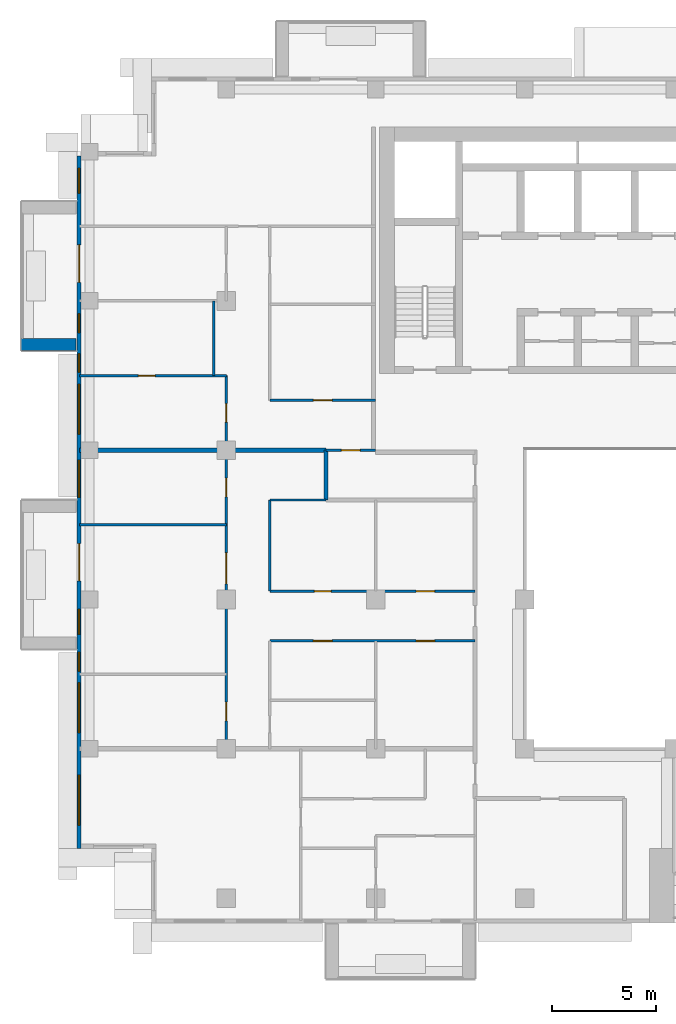
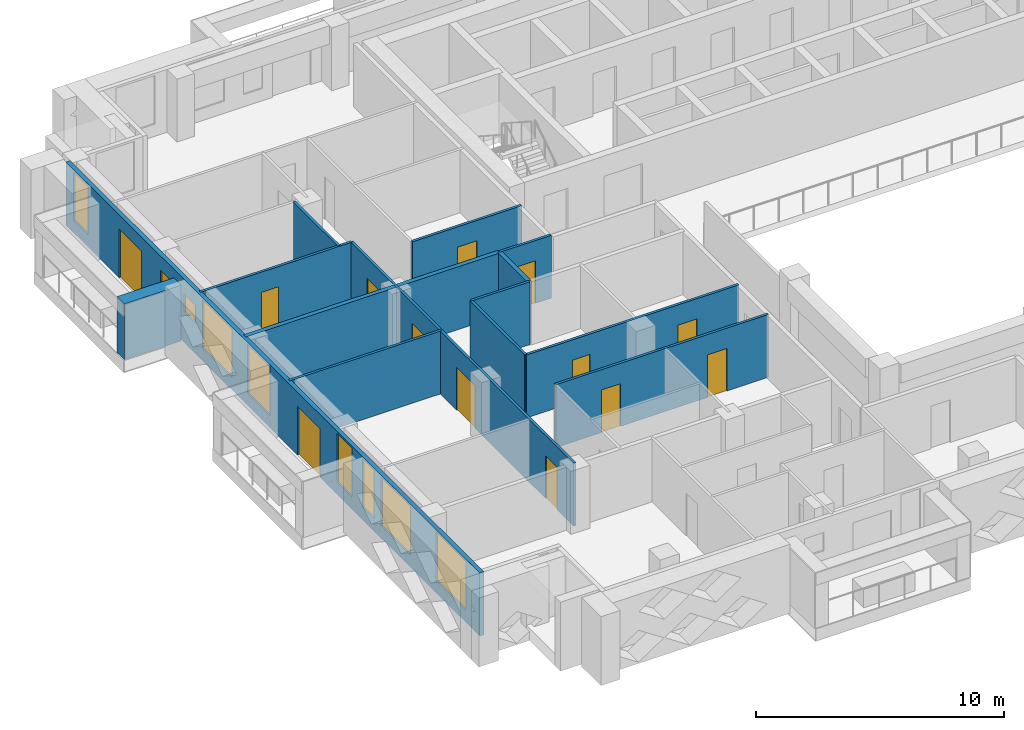
# One storey, part 7 of 20: 14 walls, 13 doors, 9 windows, 22 openings.
"""IFC4 building model written with IfcOpenShell, lengths in metres."""

import ifcopenshell
import ifcopenshell.guid

model = None  # the IFC model being written
_history = None  # IfcOwnerHistory: only IFC2X3 demands one
_inside = {}  # id of a spatial element -> (the spatial element, [elements in it])
_under = {}  # id of a project, library or spatial element -> (it, [spatial elements below it])
_declared = {}  # id of a project -> (the project, [libraries it declares])
_typed = {}  # id of a type object -> (the type object, [elements of that type])
_made_of = {}  # id of a material, layer set ... -> (it, [elements and type objects made of it])


def new_model(schema):
    """Start an empty IFC model of exactly this schema.

    Asked for "IFC4X3", IfcOpenShell would pick the latest addendum, in which some entities
    have other attributes; the version numbers below select the first issue.
    IFC2X3 requires an IfcOwnerHistory on every rooted entity: one is made here for all.
    """
    global model, _history
    if schema == "IFC4X3":
        model = ifcopenshell.file(schema_version=(4, 3, 0, 0))
    else:
        model = ifcopenshell.file(schema=schema)
    _inside.clear()
    _under.clear()
    _declared.clear()
    _typed.clear()
    _made_of.clear()
    _history = None
    if model.schema == "IFC2X3":
        org = make("IfcOrganization", Name="unknown")
        user = make(
            "IfcPersonAndOrganization",
            ThePerson=make("IfcPerson", FamilyName="unknown"),
            TheOrganization=org,
        )
        app = make(
            "IfcApplication",
            ApplicationDeveloper=org,
            Version="unknown",
            ApplicationFullName="unknown",
            ApplicationIdentifier="unknown",
        )
        _history = make(
            "IfcOwnerHistory",
            OwningUser=user,
            OwningApplication=app,
            ChangeAction="ADDED",
            CreationDate=0,
        )
    return model


def make(cls, **values):
    """One entity of the class cls with the attributes given. An attribute that is None is left unset."""
    return model.create_entity(
        cls, **{name: value for name, value in values.items() if value is not None}
    )


def rooted(cls, **values):
    """An entity with a GlobalId (a new one), such as an element, a storey or a relation."""
    return make(cls, GlobalId=ifcopenshell.guid.new(), OwnerHistory=_history, **values)


def si_unit(unit_type, name, prefix=None):
    """IfcSIUnit, for example si_unit("LENGTHUNIT", "METRE", prefix="MILLI")."""
    return make("IfcSIUnit", UnitType=unit_type, Prefix=prefix, Name=name)


def assignment(units):
    """IfcUnitAssignment: the units of a project."""
    return None if units is None else make("IfcUnitAssignment", Units=units)


def point(xyz):
    """IfcCartesianPoint."""
    return None if xyz is None else make("IfcCartesianPoint", Coordinates=xyz)


def direction(xyz):
    """IfcDirection."""
    return None if xyz is None else make("IfcDirection", DirectionRatios=xyz)


def frame(location, z_axis=None, x_axis=None):
    """IfcAxis2Placement3D, a coordinate frame: its origin and axes. An axis left out is left unset."""
    return make(
        "IfcAxis2Placement3D",
        Location=point(location),
        Axis=direction(z_axis),
        RefDirection=direction(x_axis),
    )


def frame_2d(location, x_axis=None):
    """IfcAxis2Placement2D, a coordinate frame in the plane: its origin and x axis."""
    return make(
        "IfcAxis2Placement2D", Location=point(location), RefDirection=direction(x_axis)
    )


def origin():
    """The frame at (0, 0, 0) with its axes left unset."""
    return frame((0.0, 0.0, 0.0))


def place(relative_to, where):
    """IfcLocalPlacement: puts the frame where relative to a parent placement (None: the world)."""
    return make(
        "IfcLocalPlacement", PlacementRelTo=relative_to, RelativePlacement=where
    )


def context(
    kind, dimensions, precision=None, world=None, true_north=None, identifier=None
):
    """IfcGeometricRepresentationContext, for example the 3D "Model" context."""
    return make(
        "IfcGeometricRepresentationContext",
        ContextIdentifier=identifier,
        ContextType=kind,
        CoordinateSpaceDimension=dimensions,
        Precision=precision,
        WorldCoordinateSystem=world,
        TrueNorth=true_north,
    )


def subcontext(parent, identifier, kind, view, scale=None):
    """IfcGeometricRepresentationSubContext, for example "Body" below "Model"."""
    return make(
        "IfcGeometricRepresentationSubContext",
        ContextIdentifier=identifier,
        ContextType=kind,
        ParentContext=parent,
        TargetScale=scale,
        TargetView=view,
    )


def project(units=None, contexts=None):
    """IfcProject with its units and contexts."""
    return rooted(
        "IfcProject",
        Name="project",
        RepresentationContexts=contexts,
        UnitsInContext=assignment(units),
    )


def spatial(cls, under=None, at=None, **own):
    """A site, building, storey or space (cls), placed at a placement, below another one or the project."""
    s = rooted(cls, ObjectPlacement=at, **own)
    if under is not None:
        _under.setdefault(under.id(), (under, []))[1].append(s)
    return s


def profile(cls, at=None, kind="AREA", **sizes):
    """A parametric profile (cls). Its sizes go by their IFC names, for example OverallWidth=200.0."""
    return make(cls, ProfileType=kind, Position=at, **sizes)


def rectangle(**sizes):
    """IfcRectangleProfileDef."""
    return profile("IfcRectangleProfileDef", **sizes)


def extrude(swept, where, along, depth):
    """IfcExtrudedAreaSolid: the profile swept, set in the frame where, extruded along a direction by depth."""
    return make(
        "IfcExtrudedAreaSolid",
        SweptArea=swept,
        Position=where,
        ExtrudedDirection=direction(along),
        Depth=depth,
    )


def shape(context_of_items, identifier, shape_type, items):
    """IfcShapeRepresentation: the items that make up one representation, for example the "Body"."""
    return make(
        "IfcShapeRepresentation",
        ContextOfItems=context_of_items,
        RepresentationIdentifier=identifier,
        RepresentationType=shape_type,
        Items=items,
    )


def material(Name=None, Category=None):
    """IfcMaterial."""
    return make("IfcMaterial", Name=Name, Category=Category)


def layer(
    of_material, thickness, ventilated=None, Name=None, Category=None, Priority=None
):
    """IfcMaterialLayer: one layer of a wall or slab, of a material (None: an air gap)."""
    return make(
        "IfcMaterialLayer",
        Material=of_material,
        LayerThickness=thickness,
        IsVentilated=ventilated,
        Name=Name,
        Category=Category,
        Priority=Priority,
    )


def layer_set(layers, Name=None):
    """IfcMaterialLayerSet."""
    return make("IfcMaterialLayerSet", MaterialLayers=layers, LayerSetName=Name)


def made_of(thing, what):
    """Note that an element or type object is made of a material, layer set ...; save() writes the relation."""
    if what is not None:
        _made_of.setdefault(what.id(), (what, []))[1].append(thing)
    return thing


def type_object(cls, material=None, **own):
    """A type object (cls), such as IfcWallType, which elements share."""
    return made_of(rooted(cls, **own), material)


def element(
    cls,
    number,
    at=None,
    inside=None,
    cuts=None,
    type_object=None,
    material=None,
    context=None,
    identifier="Body",
    shape_type=None,
    held_by="IfcProductDefinitionShape",
    body=None,
    shapes=None,
    **own,
):
    """One element of the class cls, such as IfcWall. Its Tag is "e" and its number.

    at: its placement. inside: the storey or other place that contains it. cuts: it is an
    opening in that element (IfcRelVoidsElement). A single representation is given by context,
    identifier, shape_type and body (its items); several are given by shapes. held_by: the class
    of the entity that holds the representations. save() writes the other relations.
    """
    e = rooted(cls, Tag="e%d" % number, ObjectPlacement=at, **own)
    if body is not None:
        shapes = [shape(context, identifier, shape_type, body)]
    if shapes is not None:
        e.Representation = make(held_by, Representations=shapes)
    if inside is not None:
        _inside.setdefault(inside.id(), (inside, []))[1].append(e)
    if cuts is not None:
        rooted(
            "IfcRelVoidsElement", RelatingBuildingElement=cuts, RelatedOpeningElement=e
        )
    if type_object is not None:
        _typed.setdefault(type_object.id(), (type_object, []))[1].append(e)
    return made_of(e, material)


def fill(opening, filler):
    """IfcRelFillsElement: the door or window that sits in an opening."""
    return rooted(
        "IfcRelFillsElement",
        RelatingOpeningElement=opening,
        RelatedBuildingElement=filler,
    )


def aggregate(whole, parts):
    """IfcRelAggregates: a whole, such as a stair, and the parts it consists of."""
    return rooted("IfcRelAggregates", RelatingObject=whole, RelatedObjects=parts)


def save(model, path):
    """Write the relations noted so far, then the file.

    IfcRelAggregates (storeys below a building ...), IfcRelContainedInSpatialStructure (elements
    in a storey), IfcRelDefinesByType, IfcRelAssociatesMaterial and IfcRelDeclares: one each for
    every whole, place, type object, material and project.
    """
    for whole, parts in _under.values():
        aggregate(whole, parts)
    for where, things in _inside.values():
        rooted(
            "IfcRelContainedInSpatialStructure",
            RelatedElements=things,
            RelatingStructure=where,
        )
    for kind, things in _typed.values():
        rooted("IfcRelDefinesByType", RelatedObjects=things, RelatingType=kind)
    for what, things in _made_of.values():
        rooted("IfcRelAssociatesMaterial", RelatedObjects=things, RelatingMaterial=what)
    for by, libraries in _declared.values():
        rooted("IfcRelDeclares", RelatingContext=by, RelatedDefinitions=libraries)
    model.write(path)


model = new_model("IFC4")

# Units and contexts
model_context = context("Model", 3, precision=1e-05, world=origin(), true_north=direction((0.0, 1.0)))
body_context = subcontext(model_context, "Body", "Model", "MODEL_VIEW")
ifc_project = project(units=[si_unit("LENGTHUNIT", "METRE"), si_unit("AREAUNIT", "SQUARE_METRE"), si_unit("VOLUMEUNIT", "CUBIC_METRE"), si_unit("PLANEANGLEUNIT", "RADIAN"), si_unit("MASSUNIT", "GRAM", prefix="KILO")], contexts=[model_context])

# Site, building, storey
site_placement = place(None, origin())
site = spatial("IfcSite", under=ifc_project, at=site_placement, CompositionType="ELEMENT")
building_placement = place(site_placement, origin())
building = spatial("IfcBuilding", under=site, at=building_placement, Name="Saffron Iwan Residences", CompositionType="ELEMENT")
storey_placement = place(building_placement, frame((0.0, 0.0, 202.5)))
storey = spatial("IfcBuildingStorey", under=building, at=storey_placement, Name="L54", CompositionType="ELEMENT", Elevation=202.5)

# Wall
ifc_material_1 = material(Name="Concrete C50/60 white painted", Category="concrete")
ifc_layer_1 = layer(ifc_material_1, 0.60009765625)
ifc_layer_set_1 = layer_set([ifc_layer_1], Name="Concrete C50/60 white painted")
wall_type_1 = type_object("IfcWallType", Name="BALCONY FIN 600", PredefinedType="SOLIDWALL", material=ifc_layer_set_1)
wall_1_placement = place(storey_placement, frame((14.35009765625, 67.5, 0.0), z_axis=(0.0, 0.0, 1.0), x_axis=(-1.0, 0.0, 0.0)))
element("IfcWall", 1, at=wall_1_placement, inside=storey, type_object=wall_type_1, Name="Balcony fin L54 F8-0b", PredefinedType="SOLIDWALL", context=body_context, shape_type="SweptSolid", body=[
    extrude(rectangle(XDim=2.650146484375, YDim=0.60009765625, at=frame_2d((1.3251953125, 0.0))), origin(), (0.0, 0.0, 1.0), 2.75),
])

# Wall, openings, doors, windows
ifc_material_2 = material(Name="Concrete C40/50", Category="concrete")
ifc_layer_2 = layer(ifc_material_2, 0.199951171875)
ifc_layer_set_2 = layer_set([ifc_layer_2], Name="Concrete C40/50")
wall_type_2 = type_object("IfcWallType", Name="EXTERNAL WALL 200", PredefinedType="SOLIDWALL", material=ifc_layer_set_2)
wall_2_placement = place(storey_placement, frame((14.5, 76.60009765625, 0.0), z_axis=(0.0, 0.0, 1.0), x_axis=(0.0, -1.0, 0.0)))
wall_2 = element("IfcWall", 2, at=wall_2_placement, inside=storey, type_object=wall_type_2, Name="External wall L54 F8.0", PredefinedType="SOLIDWALL", context=body_context, shape_type="SweptSolid", body=[
    extrude(rectangle(XDim=33.400146484375, YDim=0.199951171875, at=frame_2d((16.7001953125, 0.0))), origin(), (0.0, 0.0, 1.0), 3.10009765625),
])
opening_1_placement = place(wall_2_placement, frame((4.300048828125, 0.0, 0.0)))
opening_1 = element("IfcOpeningElement", 3, at=opening_1_placement, cuts=wall_2, Name="Opening BD1", PredefinedType="OPENING", context=body_context, shape_type="SweptSolid", body=[
    extrude(rectangle(XDim=1.800048828125, YDim=2.39990234375, at=frame_2d((0.89990234375, 1.199951171875))), frame((0.0, 0.10986328125, 0.0), z_axis=(0.0, -1.0, 0.0), x_axis=(1.0, 0.0, 0.0)), (0.0, 0.0, 1.0), 0.219970703125),
])
opening_2_placement = place(wall_2_placement, frame((18.699951171875, 0.0, 0.0)))
opening_2 = element("IfcOpeningElement", 4, at=opening_2_placement, cuts=wall_2, Name="Opening BD1", PredefinedType="OPENING", context=body_context, shape_type="SweptSolid", body=[
    extrude(rectangle(XDim=1.800048828125, YDim=2.39990234375, at=frame_2d((0.89990234375, 1.199951171875))), frame((0.0, 0.10986328125, 0.0), z_axis=(0.0, -1.0, 0.0), x_axis=(1.0, 0.0, 0.0)), (0.0, 0.0, 1.0), 0.219970703125),
])
opening_3_placement = place(wall_2_placement, frame((29.875, 0.0, 0.60009765625)))
opening_3 = element("IfcOpeningElement", 5, at=opening_3_placement, cuts=wall_2, Name="Opening W1", PredefinedType="OPENING", context=body_context, shape_type="SweptSolid", body=[
    extrude(rectangle(XDim=2.39990234375, YDim=2.39990234375, at=frame_2d((1.199951171875, 1.199951171875))), frame((0.0, 0.10986328125, 0.0), z_axis=(0.0, -1.0, 0.0), x_axis=(1.0, 0.0, 0.0)), (0.0, 0.0, 1.0), 0.219970703125),
])
opening_4_placement = place(wall_2_placement, frame((25.425048828125, 0.0, 0.60009765625)))
opening_4 = element("IfcOpeningElement", 6, at=opening_4_placement, cuts=wall_2, Name="Opening W1", PredefinedType="OPENING", context=body_context, shape_type="SweptSolid", body=[
    extrude(rectangle(XDim=2.39990234375, YDim=2.39990234375, at=frame_2d((1.199951171875, 1.199951171875))), frame((0.0, 0.10986328125, 0.0), z_axis=(0.0, -1.0, 0.0), x_axis=(1.0, 0.0, 0.0)), (0.0, 0.0, 1.0), 0.219970703125),
])
opening_5_placement = place(wall_2_placement, frame((21.875, 0.0, 0.60009765625)))
opening_5 = element("IfcOpeningElement", 7, at=opening_5_placement, cuts=wall_2, Name="Opening W3", PredefinedType="OPENING", context=body_context, shape_type="SweptSolid", body=[
    extrude(rectangle(XDim=1.199951171875, YDim=2.39990234375, at=frame_2d((0.60009765625, 1.199951171875))), frame((0.0, 0.10986328125, 0.0), z_axis=(0.0, -1.0, 0.0), x_axis=(1.0, 0.0, 0.0)), (0.0, 0.0, 1.0), 0.219970703125),
])
opening_6_placement = place(wall_2_placement, frame((23.949951171875, 0.0, 0.60009765625)))
opening_6 = element("IfcOpeningElement", 8, at=opening_6_placement, cuts=wall_2, Name="Opening W10", PredefinedType="OPENING", context=body_context, shape_type="SweptSolid", body=[
    extrude(rectangle(XDim=0.89990234375, YDim=2.39990234375, at=frame_2d((0.449951171875, 1.199951171875))), frame((0.0, 0.10986328125, 0.0), z_axis=(0.0, -1.0, 0.0), x_axis=(1.0, 0.0, 0.0)), (0.0, 0.0, 1.0), 0.219970703125),
])
opening_7_placement = place(wall_2_placement, frame((14.675048828125, 0.0, 0.60009765625)))
opening_7 = element("IfcOpeningElement", 9, at=opening_7_placement, cuts=wall_2, Name="Opening W8", PredefinedType="OPENING", context=body_context, shape_type="SweptSolid", body=[
    extrude(rectangle(XDim=1.800048828125, YDim=2.39990234375, at=frame_2d((0.89990234375, 1.199951171875))), frame((0.0, 0.10986328125, 0.0), z_axis=(0.0, -1.0, 0.0), x_axis=(1.0, 0.0, 0.0)), (0.0, 0.0, 1.0), 0.219970703125),
])
opening_8_placement = place(wall_2_placement, frame((11.02490234375, 0.0, 0.60009765625)))
opening_8 = element("IfcOpeningElement", 10, at=opening_8_placement, cuts=wall_2, Name="Opening W1", PredefinedType="OPENING", context=body_context, shape_type="SweptSolid", body=[
    extrude(rectangle(XDim=2.39990234375, YDim=2.39990234375, at=frame_2d((1.199951171875, 1.199951171875))), frame((0.0, 0.10986328125, 0.0), z_axis=(0.0, -1.0, 0.0), x_axis=(1.0, 0.0, 0.0)), (0.0, 0.0, 1.0), 0.219970703125),
])
opening_9_placement = place(wall_2_placement, frame((7.625, 0.0, 1.5)))
opening_9 = element("IfcOpeningElement", 11, at=opening_9_placement, cuts=wall_2, Name="Opening W6", PredefinedType="OPENING", context=body_context, shape_type="SweptSolid", body=[
    extrude(rectangle(XDim=0.89990234375, YDim=0.89990234375, at=frame_2d((0.449951171875, 0.449951171875))), frame((0.0, 0.10986328125, 0.0), z_axis=(0.0, -1.0, 0.0), x_axis=(1.0, 0.0, 0.0)), (0.0, 0.0, 1.0), 0.219970703125),
])
opening_10_placement = place(wall_2_placement, frame((9.550048828125, 0.0, 1.5)))
opening_10 = element("IfcOpeningElement", 12, at=opening_10_placement, cuts=wall_2, Name="Opening W6", PredefinedType="OPENING", context=body_context, shape_type="SweptSolid", body=[
    extrude(rectangle(XDim=0.89990234375, YDim=0.89990234375, at=frame_2d((0.449951171875, 0.449951171875))), frame((0.0, 0.10986328125, 0.0), z_axis=(0.0, -1.0, 0.0), x_axis=(1.0, 0.0, 0.0)), (0.0, 0.0, 1.0), 0.219970703125),
])
opening_11_placement = place(wall_2_placement, frame((0.60009765625, 0.0, 0.60009765625)))
opening_11 = element("IfcOpeningElement", 13, at=opening_11_placement, cuts=wall_2, Name="Opening W3", PredefinedType="OPENING", context=body_context, shape_type="SweptSolid", body=[
    extrude(rectangle(XDim=1.199951171875, YDim=2.39990234375, at=frame_2d((0.60009765625, 1.199951171875))), frame((0.0, 0.10986328125, 0.0), z_axis=(0.0, -1.0, 0.0), x_axis=(1.0, 0.0, 0.0)), (0.0, 0.0, 1.0), 0.219970703125),
])
ifc_material_3 = material(Name="Clear glass, laminated double glazed", Category="glass")
door_type_1 = type_object("IfcDoorType", Name="BALCONY DOOR 1800 x 2400", OperationType="DOUBLE_DOOR_SLIDING", PredefinedType="DOOR", material=ifc_material_3)
door_1_placement = place(opening_1_placement, origin())
door_1 = element("IfcDoor", 14, at=door_1_placement, inside=storey, type_object=door_type_1, Name="Balcony door L54 F8.0", OperationType="DOUBLE_DOOR_SLIDING", OverallHeight=2.39990234375, OverallWidth=1.800048828125, PredefinedType="DOOR", context=body_context, shape_type="SweptSolid", body=[
    extrude(rectangle(XDim=1.800048828125, YDim=2.39990234375, at=frame_2d((0.89990234375, 1.199951171875))), frame((0.0, 0.02490234375, 0.0), z_axis=(0.0, -1.0, 0.0), x_axis=(1.0, 0.0, 0.0)), (0.0, 0.0, 1.0), 0.050048828125),
])
fill(opening_1, door_1)
door_2_placement = place(opening_2_placement, origin())
door_2 = element("IfcDoor", 15, at=door_2_placement, inside=storey, type_object=door_type_1, Name="Balcony door L54 F8.1", OperationType="DOUBLE_DOOR_SLIDING", OverallHeight=2.39990234375, OverallWidth=1.800048828125, PredefinedType="DOOR", context=body_context, shape_type="SweptSolid", body=[
    extrude(rectangle(XDim=1.800048828125, YDim=2.39990234375, at=frame_2d((0.89990234375, 1.199951171875))), frame((0.0, 0.02490234375, 0.0), z_axis=(0.0, -1.0, 0.0), x_axis=(1.0, 0.0, 0.0)), (0.0, 0.0, 1.0), 0.050048828125),
])
fill(opening_2, door_2)
window_type_1 = type_object("IfcWindowType", Name="WINDOW 1200 x 2400", PartitioningType="SINGLE_PANEL", PredefinedType="WINDOW", material=ifc_material_3)
window_1_placement = place(opening_5_placement, origin())
window_1 = element("IfcWindow", 16, at=window_1_placement, inside=storey, type_object=window_type_1, Name="Window L54 F8.4", OverallHeight=2.39990234375, OverallWidth=1.199951171875, PartitioningType="SINGLE_PANEL", PredefinedType="WINDOW", context=body_context, shape_type="SweptSolid", body=[
    extrude(rectangle(XDim=1.199951171875, YDim=2.39990234375, at=frame_2d((0.60009765625, 1.199951171875))), frame((0.0, 0.030029296875, 0.0), z_axis=(0.0, -1.0, 0.0), x_axis=(1.0, 0.0, 0.0)), (0.0, 0.0, 1.0), 0.06005859375),
])
fill(opening_5, window_1)
window_2_placement = place(opening_11_placement, origin())
window_2 = element("IfcWindow", 17, at=window_2_placement, inside=storey, type_object=window_type_1, Name="Window L54 F8.10", OverallHeight=2.39990234375, OverallWidth=1.199951171875, PartitioningType="SINGLE_PANEL", PredefinedType="WINDOW", context=body_context, shape_type="SweptSolid", body=[
    extrude(rectangle(XDim=1.199951171875, YDim=2.39990234375, at=frame_2d((0.60009765625, 1.199951171875))), frame((0.0, 0.030029296875, 0.0), z_axis=(0.0, -1.0, 0.0), x_axis=(1.0, 0.0, 0.0)), (0.0, 0.0, 1.0), 0.06005859375),
])
fill(opening_11, window_2)
window_type_2 = type_object("IfcWindowType", Name="WINDOW 1800 x 2400", PartitioningType="DOUBLE_PANEL_VERTICAL", PredefinedType="WINDOW", material=ifc_material_3)
window_3_placement = place(opening_7_placement, origin())
window_3 = element("IfcWindow", 18, at=window_3_placement, inside=storey, type_object=window_type_2, Name="Window L54 F8.6", OverallHeight=2.39990234375, OverallWidth=1.800048828125, PartitioningType="DOUBLE_PANEL_VERTICAL", PredefinedType="WINDOW", context=body_context, shape_type="SweptSolid", body=[
    extrude(rectangle(XDim=1.800048828125, YDim=2.39990234375, at=frame_2d((0.89990234375, 1.199951171875))), frame((0.0, 0.030029296875, 0.0), z_axis=(0.0, -1.0, 0.0), x_axis=(1.0, 0.0, 0.0)), (0.0, 0.0, 1.0), 0.06005859375),
])
fill(opening_7, window_3)
window_type_3 = type_object("IfcWindowType", Name="WINDOW 2400 x 2400", PartitioningType="DOUBLE_PANEL_VERTICAL", PredefinedType="WINDOW", material=ifc_material_3)
window_4_placement = place(opening_3_placement, origin())
window_4 = element("IfcWindow", 19, at=window_4_placement, inside=storey, type_object=window_type_3, Name="Window L54 F8.2", OverallHeight=2.39990234375, OverallWidth=2.39990234375, PartitioningType="DOUBLE_PANEL_VERTICAL", PredefinedType="WINDOW", context=body_context, shape_type="SweptSolid", body=[
    extrude(rectangle(XDim=2.39990234375, YDim=2.39990234375, at=frame_2d((1.199951171875, 1.199951171875))), frame((0.0, 0.030029296875, 0.0), z_axis=(0.0, -1.0, 0.0), x_axis=(1.0, 0.0, 0.0)), (0.0, 0.0, 1.0), 0.06005859375),
])
fill(opening_3, window_4)
window_5_placement = place(opening_4_placement, origin())
window_5 = element("IfcWindow", 20, at=window_5_placement, inside=storey, type_object=window_type_3, Name="Window L54 F8.3", OverallHeight=2.39990234375, OverallWidth=2.39990234375, PartitioningType="DOUBLE_PANEL_VERTICAL", PredefinedType="WINDOW", context=body_context, shape_type="SweptSolid", body=[
    extrude(rectangle(XDim=2.39990234375, YDim=2.39990234375, at=frame_2d((1.199951171875, 1.199951171875))), frame((0.0, 0.030029296875, 0.0), z_axis=(0.0, -1.0, 0.0), x_axis=(1.0, 0.0, 0.0)), (0.0, 0.0, 1.0), 0.06005859375),
])
fill(opening_4, window_5)
window_6_placement = place(opening_8_placement, origin())
window_6 = element("IfcWindow", 21, at=window_6_placement, inside=storey, type_object=window_type_3, Name="Window L54 F8.7", OverallHeight=2.39990234375, OverallWidth=2.39990234375, PartitioningType="DOUBLE_PANEL_VERTICAL", PredefinedType="WINDOW", context=body_context, shape_type="SweptSolid", body=[
    extrude(rectangle(XDim=2.39990234375, YDim=2.39990234375, at=frame_2d((1.199951171875, 1.199951171875))), frame((0.0, 0.030029296875, 0.0), z_axis=(0.0, -1.0, 0.0), x_axis=(1.0, 0.0, 0.0)), (0.0, 0.0, 1.0), 0.06005859375),
])
fill(opening_8, window_6)
window_type_4 = type_object("IfcWindowType", Name="WINDOW 900 x 2400", PartitioningType="SINGLE_PANEL", PredefinedType="WINDOW", material=ifc_material_3)
window_7_placement = place(opening_6_placement, origin())
window_7 = element("IfcWindow", 22, at=window_7_placement, inside=storey, type_object=window_type_4, Name="Window L54 F8.5", OverallHeight=2.39990234375, OverallWidth=0.89990234375, PartitioningType="SINGLE_PANEL", PredefinedType="WINDOW", context=body_context, shape_type="SweptSolid", body=[
    extrude(rectangle(XDim=0.89990234375, YDim=2.39990234375, at=frame_2d((0.449951171875, 1.199951171875))), frame((0.0, 0.030029296875, 0.0), z_axis=(0.0, -1.0, 0.0), x_axis=(1.0, 0.0, 0.0)), (0.0, 0.0, 1.0), 0.06005859375),
])
fill(opening_6, window_7)
window_type_5 = type_object("IfcWindowType", Name="WINDOW 900 x 900 BATH", PartitioningType="SINGLE_PANEL", PredefinedType="WINDOW", material=ifc_material_3)
window_8_placement = place(opening_9_placement, origin())
window_8 = element("IfcWindow", 23, at=window_8_placement, inside=storey, type_object=window_type_5, Name="Window L54 F8.8", OverallHeight=0.89990234375, OverallWidth=0.89990234375, PartitioningType="SINGLE_PANEL", PredefinedType="WINDOW", context=body_context, shape_type="SweptSolid", body=[
    extrude(rectangle(XDim=0.89990234375, YDim=0.89990234375, at=frame_2d((0.449951171875, 0.449951171875))), frame((0.0, 0.030029296875, 0.0), z_axis=(0.0, -1.0, 0.0), x_axis=(1.0, 0.0, 0.0)), (0.0, 0.0, 1.0), 0.06005859375),
])
fill(opening_9, window_8)
window_9_placement = place(opening_10_placement, origin())
window_9 = element("IfcWindow", 24, at=window_9_placement, inside=storey, type_object=window_type_5, Name="Window L54 F8.9", OverallHeight=0.89990234375, OverallWidth=0.89990234375, PartitioningType="SINGLE_PANEL", PredefinedType="WINDOW", context=body_context, shape_type="SweptSolid", body=[
    extrude(rectangle(XDim=0.89990234375, YDim=0.89990234375, at=frame_2d((0.449951171875, 0.449951171875))), frame((0.0, 0.030029296875, 0.0), z_axis=(0.0, -1.0, 0.0), x_axis=(1.0, 0.0, 0.0)), (0.0, 0.0, 1.0), 0.06005859375),
])
fill(opening_10, window_9)

# Walls
ifc_material_4 = material(Name="Fire-rated gypsum board wall")
ifc_layer_3 = layer(ifc_material_4, 0.199951171875)
ifc_layer_set_3 = layer_set([ifc_layer_3], Name="Fire-rated gypsum board wall")
wall_type_3 = type_object("IfcWallType", Name="Flat demising wall 200", PredefinedType="SOLIDWALL", material=ifc_layer_set_3)
wall_3_placement = place(storey_placement, frame((14.52490234375, 62.39990234375, 0.0), z_axis=(0.0, 0.0, 1.0), x_axis=(1.0, 0.0, 0.0)))
element("IfcWall", 25, at=wall_3_placement, inside=storey, type_object=wall_type_3, Name="W-L54-DEMISE-h62.4-14.525", PredefinedType="SOLIDWALL", context=body_context, shape_type="SweptSolid", body=[
    extrude(rectangle(XDim=11.875, YDim=0.199951171875, at=frame_2d((5.9375, 0.0))), origin(), (0.0, 0.0, 1.0), 3.10009765625),
])
wall_4_placement = place(storey_placement, frame((26.39990234375, 60.0, 0.0), z_axis=(0.0, 0.0, 1.0), x_axis=(0.0, 1.0, 0.0)))
element("IfcWall", 26, at=wall_4_placement, inside=storey, type_object=wall_type_3, Name="W-L54-DEMISE-v26.4-60", PredefinedType="SOLIDWALL", context=body_context, shape_type="SweptSolid", body=[
    extrude(rectangle(XDim=2.39990234375, YDim=0.199951171875, at=frame_2d((1.199951171875, 0.0))), origin(), (0.0, 0.0, 1.0), 3.10009765625),
])

# Wall, openings, doors
ifc_material_5 = material(Name="Gypsum board partition")
ifc_layer_4 = layer(ifc_material_5, 0.1201171875)
ifc_layer_set_4 = layer_set([ifc_layer_4], Name="Gypsum board partition")
wall_type_4 = type_object("IfcWallType", Name="Flat partition 120", PredefinedType="PARTITIONING", material=ifc_layer_set_4)
wall_5_placement = place(storey_placement, frame((23.699951171875, 53.199951171875, 0.0), z_axis=(0.0, 0.0, 1.0), x_axis=(1.0, 0.0, 0.0)))
wall_5 = element("IfcWall", 27, at=wall_5_placement, inside=storey, type_object=wall_type_4, Name="W-L54-PART-h53.2-23.7", PredefinedType="PARTITIONING", context=body_context, shape_type="SweptSolid", body=[
    extrude(rectangle(XDim=9.900146484375, YDim=0.1201171875, at=frame_2d((4.9501953125, 0.0))), origin(), (0.0, 0.0, 1.0), 3.10009765625),
])
opening_12_placement = place(wall_5_placement, frame((2.10009765625, 0.0, 0.0)))
opening_12 = element("IfcOpeningElement", 28, at=opening_12_placement, cuts=wall_5, Name="Opening FD2", PredefinedType="OPENING", context=body_context, shape_type="SweptSolid", body=[
    extrude(rectangle(XDim=0.89990234375, YDim=2.10009765625, at=frame_2d((0.449951171875, 1.050048828125))), frame((0.0, 0.070068359375, 0.0), z_axis=(0.0, -1.0, 0.0), x_axis=(1.0, 0.0, 0.0)), (0.0, 0.0, 1.0), 0.14013671875),
])
opening_13_placement = place(wall_5_placement, frame((7.050048828125, 0.0, 0.0)))
opening_13 = element("IfcOpeningElement", 29, at=opening_13_placement, cuts=wall_5, Name="Opening FD2", PredefinedType="OPENING", context=body_context, shape_type="SweptSolid", body=[
    extrude(rectangle(XDim=0.89990234375, YDim=2.10009765625, at=frame_2d((0.449951171875, 1.050048828125))), frame((0.0, 0.070068359375, 0.0), z_axis=(0.0, -1.0, 0.0), x_axis=(1.0, 0.0, 0.0)), (0.0, 0.0, 1.0), 0.14013671875),
])
ifc_material_6 = material(Name="Timber door", Category="wood")
door_type_2 = type_object("IfcDoorType", Name="Flat door 900", OperationType="NOTDEFINED", PredefinedType="DOOR", material=ifc_material_6)
door_3_placement = place(opening_12_placement, origin())
door_3 = element("IfcDoor", 30, at=door_3_placement, inside=storey, type_object=door_type_2, Name="Door L54-012", OperationType="SINGLE_SWING_LEFT", OverallHeight=2.10009765625, OverallWidth=0.89990234375, PredefinedType="DOOR", context=body_context, shape_type="SweptSolid", body=[
    extrude(rectangle(XDim=0.89990234375, YDim=2.10009765625, at=frame_2d((0.449951171875, 1.050048828125))), frame((0.0, 0.02490234375, 0.0), z_axis=(0.0, -1.0, 0.0), x_axis=(1.0, 0.0, 0.0)), (0.0, 0.0, 1.0), 0.050048828125),
])
fill(opening_12, door_3)
door_4_placement = place(opening_13_placement, origin())
door_4 = element("IfcDoor", 31, at=door_4_placement, inside=storey, type_object=door_type_2, Name="Door L54-014", OperationType="SINGLE_SWING_LEFT", OverallHeight=2.10009765625, OverallWidth=0.89990234375, PredefinedType="DOOR", context=body_context, shape_type="SweptSolid", body=[
    extrude(rectangle(XDim=0.89990234375, YDim=2.10009765625, at=frame_2d((0.449951171875, 1.050048828125))), frame((0.0, 0.02490234375, 0.0), z_axis=(0.0, -1.0, 0.0), x_axis=(1.0, 0.0, 0.0)), (0.0, 0.0, 1.0), 0.050048828125),
])
fill(opening_13, door_4)

wall_6_placement = place(storey_placement, frame((23.699951171875, 55.60009765625, 0.0), z_axis=(0.0, 0.0, 1.0), x_axis=(1.0, 0.0, 0.0)))
wall_6 = element("IfcWall", 32, at=wall_6_placement, inside=storey, type_object=wall_type_4, Name="W-L54-PART-h55.6-23.7", PredefinedType="PARTITIONING", context=body_context, shape_type="SweptSolid", body=[
    extrude(rectangle(XDim=9.900146484375, YDim=0.1201171875, at=frame_2d((4.9501953125, 0.0))), origin(), (0.0, 0.0, 1.0), 3.10009765625),
])
opening_14_placement = place(wall_6_placement, frame((2.14990234375, 0.0, 0.0)))
opening_14 = element("IfcOpeningElement", 33, at=opening_14_placement, cuts=wall_6, Name="Opening FD3", PredefinedType="OPENING", context=body_context, shape_type="SweptSolid", body=[
    extrude(rectangle(XDim=0.800048828125, YDim=2.10009765625, at=frame_2d((0.39990234375, 1.050048828125))), frame((0.0, 0.070068359375, 0.0), z_axis=(0.0, -1.0, 0.0), x_axis=(1.0, 0.0, 0.0)), (0.0, 0.0, 1.0), 0.14013671875),
])
opening_15_placement = place(wall_6_placement, frame((7.050048828125, 0.0, 0.0)))
opening_15 = element("IfcOpeningElement", 34, at=opening_15_placement, cuts=wall_6, Name="Opening FD2", PredefinedType="OPENING", context=body_context, shape_type="SweptSolid", body=[
    extrude(rectangle(XDim=0.89990234375, YDim=2.10009765625, at=frame_2d((0.449951171875, 1.050048828125))), frame((0.0, 0.070068359375, 0.0), z_axis=(0.0, -1.0, 0.0), x_axis=(1.0, 0.0, 0.0)), (0.0, 0.0, 1.0), 0.14013671875),
])
door_type_3 = type_object("IfcDoorType", Name="Bathroom door 800", OperationType="NOTDEFINED", PredefinedType="DOOR", material=ifc_material_6)
door_5_placement = place(opening_14_placement, origin())
door_5 = element("IfcDoor", 35, at=door_5_placement, inside=storey, type_object=door_type_3, Name="Door L54-013", OperationType="SINGLE_SWING_RIGHT", OverallHeight=2.10009765625, OverallWidth=0.800048828125, PredefinedType="DOOR", context=body_context, shape_type="SweptSolid", body=[
    extrude(rectangle(XDim=0.800048828125, YDim=2.10009765625, at=frame_2d((0.39990234375, 1.050048828125))), frame((0.0, 0.02490234375, 0.0), z_axis=(0.0, -1.0, 0.0), x_axis=(1.0, 0.0, 0.0)), (0.0, 0.0, 1.0), 0.050048828125),
])
fill(opening_14, door_5)
door_6_placement = place(opening_15_placement, origin())
door_6 = element("IfcDoor", 36, at=door_6_placement, inside=storey, type_object=door_type_2, Name="Door L54-015", OperationType="SINGLE_SWING_LEFT", OverallHeight=2.10009765625, OverallWidth=0.89990234375, PredefinedType="DOOR", context=body_context, shape_type="SweptSolid", body=[
    extrude(rectangle(XDim=0.89990234375, YDim=2.10009765625, at=frame_2d((0.449951171875, 1.050048828125))), frame((0.0, 0.02490234375, 0.0), z_axis=(0.0, -1.0, 0.0), x_axis=(1.0, 0.0, 0.0)), (0.0, 0.0, 1.0), 0.050048828125),
])
fill(opening_15, door_6)

# Walls
wall_7_placement = place(storey_placement, frame((14.52490234375, 58.800048828125, 0.0), z_axis=(0.0, 0.0, 1.0), x_axis=(1.0, 0.0, 0.0)))
element("IfcWall", 37, at=wall_7_placement, inside=storey, type_object=wall_type_4, Name="W-L54-PART-h58.8-14.525", PredefinedType="PARTITIONING", context=body_context, shape_type="SweptSolid", body=[
    extrude(rectangle(XDim=7.0751953125, YDim=0.1201171875, at=frame_2d((3.53759765625, 0.0))), origin(), (0.0, 0.0, 1.0), 3.10009765625),
])
wall_8_placement = place(storey_placement, frame((23.699951171875, 60.0, 0.0), z_axis=(0.0, 0.0, 1.0), x_axis=(1.0, 0.0, 0.0)))
element("IfcWall", 38, at=wall_8_placement, inside=storey, type_object=wall_type_4, Name="W-L54-PART-h60-23.7", PredefinedType="PARTITIONING", context=body_context, shape_type="SweptSolid", body=[
    extrude(rectangle(XDim=2.699951171875, YDim=0.1201171875, at=frame_2d((1.35009765625, 0.0))), origin(), (0.0, 0.0, 1.0), 3.10009765625),
])

# Wall, opening, door
wall_9_placement = place(storey_placement, frame((26.39990234375, 62.39990234375, 0.0), z_axis=(0.0, 0.0, 1.0), x_axis=(1.0, 0.0, 0.0)))
wall_9 = element("IfcWall", 39, at=wall_9_placement, inside=storey, type_object=wall_type_4, Name="W-L54-PART-h62.4-26.4", PredefinedType="PARTITIONING", context=body_context, shape_type="SweptSolid", body=[
    extrude(rectangle(XDim=2.400146484375, YDim=0.1201171875, at=frame_2d((1.2001953125, 0.0))), origin(), (0.0, 0.0, 1.0), 3.10009765625),
])
opening_16_placement = place(wall_9_placement, frame((0.75, 0.0, 0.0)))
opening_16 = element("IfcOpeningElement", 40, at=opening_16_placement, cuts=wall_9, Name="Opening FD2", PredefinedType="OPENING", context=body_context, shape_type="SweptSolid", body=[
    extrude(rectangle(XDim=0.89990234375, YDim=2.10009765625, at=frame_2d((0.449951171875, 1.050048828125))), frame((0.0, 0.070068359375, 0.0), z_axis=(0.0, -1.0, 0.0), x_axis=(1.0, 0.0, 0.0)), (0.0, 0.0, 1.0), 0.14013671875),
])
door_7_placement = place(opening_16_placement, origin())
door_7 = element("IfcDoor", 41, at=door_7_placement, inside=storey, type_object=door_type_2, Name="Door L54-024", OperationType="SINGLE_SWING_LEFT", OverallHeight=2.10009765625, OverallWidth=0.89990234375, PredefinedType="DOOR", context=body_context, shape_type="SweptSolid", body=[
    extrude(rectangle(XDim=0.89990234375, YDim=2.10009765625, at=frame_2d((0.449951171875, 1.050048828125))), frame((0.0, 0.02490234375, 0.0), z_axis=(0.0, -1.0, 0.0), x_axis=(1.0, 0.0, 0.0)), (0.0, 0.0, 1.0), 0.050048828125),
])
fill(opening_16, door_7)

wall_10_placement = place(storey_placement, frame((23.699951171875, 64.800048828125, 0.0), z_axis=(0.0, 0.0, 1.0), x_axis=(1.0, 0.0, 0.0)))
wall_10 = element("IfcWall", 42, at=wall_10_placement, inside=storey, type_object=wall_type_4, Name="W-L54-PART-h64.8-23.7", PredefinedType="PARTITIONING", context=body_context, shape_type="SweptSolid", body=[
    extrude(rectangle(XDim=5.10009765625, YDim=0.1201171875, at=frame_2d((2.550048828125, 0.0))), origin(), (0.0, 0.0, 1.0), 3.10009765625),
])
opening_17_placement = place(wall_10_placement, frame((2.10009765625, 0.0, 0.0)))
opening_17 = element("IfcOpeningElement", 43, at=opening_17_placement, cuts=wall_10, Name="Opening FD2", PredefinedType="OPENING", context=body_context, shape_type="SweptSolid", body=[
    extrude(rectangle(XDim=0.89990234375, YDim=2.10009765625, at=frame_2d((0.449951171875, 1.050048828125))), frame((0.0, 0.070068359375, 0.0), z_axis=(0.0, -1.0, 0.0), x_axis=(1.0, 0.0, 0.0)), (0.0, 0.0, 1.0), 0.14013671875),
])
door_8_placement = place(opening_17_placement, origin())
door_8 = element("IfcDoor", 44, at=door_8_placement, inside=storey, type_object=door_type_2, Name="Door L54-030", OperationType="SINGLE_SWING_LEFT", OverallHeight=2.10009765625, OverallWidth=0.89990234375, PredefinedType="DOOR", context=body_context, shape_type="SweptSolid", body=[
    extrude(rectangle(XDim=0.89990234375, YDim=2.10009765625, at=frame_2d((0.449951171875, 1.050048828125))), frame((0.0, 0.02490234375, 0.0), z_axis=(0.0, -1.0, 0.0), x_axis=(1.0, 0.0, 0.0)), (0.0, 0.0, 1.0), 0.050048828125),
])
fill(opening_17, door_8)

wall_11_placement = place(storey_placement, frame((14.52490234375, 66.0, 0.0), z_axis=(0.0, 0.0, 1.0), x_axis=(1.0, 0.0, 0.0)))
wall_11 = element("IfcWall", 45, at=wall_11_placement, inside=storey, type_object=wall_type_4, Name="W-L54-PART-h66-14.525", PredefinedType="PARTITIONING", context=body_context, shape_type="SweptSolid", body=[
    extrude(rectangle(XDim=7.0751953125, YDim=0.1201171875, at=frame_2d((3.53759765625, 0.0))), origin(), (0.0, 0.0, 1.0), 3.10009765625),
])
opening_18_placement = place(wall_11_placement, frame((2.83740234375, 0.0, 0.0)))
opening_18 = element("IfcOpeningElement", 46, at=opening_18_placement, cuts=wall_11, Name="Opening FD3", PredefinedType="OPENING", context=body_context, shape_type="SweptSolid", body=[
    extrude(rectangle(XDim=0.800048828125, YDim=2.10009765625, at=frame_2d((0.39990234375, 1.050048828125))), frame((0.0, 0.070068359375, 0.0), z_axis=(0.0, -1.0, 0.0), x_axis=(1.0, 0.0, 0.0)), (0.0, 0.0, 1.0), 0.14013671875),
])
door_9_placement = place(opening_18_placement, origin())
door_9 = element("IfcDoor", 47, at=door_9_placement, inside=storey, type_object=door_type_3, Name="Door L54-027", OperationType="SINGLE_SWING_LEFT", OverallHeight=2.10009765625, OverallWidth=0.800048828125, PredefinedType="DOOR", context=body_context, shape_type="SweptSolid", body=[
    extrude(rectangle(XDim=0.800048828125, YDim=2.10009765625, at=frame_2d((0.39990234375, 1.050048828125))), frame((0.0, 0.02490234375, 0.0), z_axis=(0.0, -1.0, 0.0), x_axis=(1.0, 0.0, 0.0)), (0.0, 0.0, 1.0), 0.050048828125),
])
fill(opening_18, door_9)

# Wall
wall_12_placement = place(storey_placement, frame((21.0, 66.0, 0.0), z_axis=(0.0, 0.0, 1.0), x_axis=(0.0, 1.0, 0.0)))
element("IfcWall", 48, at=wall_12_placement, inside=storey, type_object=wall_type_4, Name="W-L54-PART-v21-66", PredefinedType="PARTITIONING", context=body_context, shape_type="SweptSolid", body=[
    extrude(rectangle(XDim=3.60009765625, YDim=0.1201171875, at=frame_2d((1.800048828125, 0.0))), origin(), (0.0, 0.0, 1.0), 3.10009765625),
])

# Wall, openings, doors
wall_13_placement = place(storey_placement, frame((21.60009765625, 48.0, 0.0), z_axis=(0.0, 0.0, 1.0), x_axis=(0.0, 1.0, 0.0)))
wall_13 = element("IfcWall", 49, at=wall_13_placement, inside=storey, type_object=wall_type_4, Name="W-L54-PART-v21.6-48", PredefinedType="PARTITIONING", context=body_context, shape_type="SweptSolid", body=[
    extrude(rectangle(XDim=18.0, YDim=0.1201171875, at=frame_2d((9.0, 0.0))), origin(), (0.0, 0.0, 1.0), 3.10009765625),
])
opening_19_placement = place(wall_13_placement, frame((1.35009765625, 0.0, 0.0)))
opening_19 = element("IfcOpeningElement", 50, at=opening_19_placement, cuts=wall_13, Name="Opening FD2", PredefinedType="OPENING", context=body_context, shape_type="SweptSolid", body=[
    extrude(rectangle(XDim=0.89990234375, YDim=2.10009765625, at=frame_2d((0.449951171875, 1.050048828125))), frame((0.0, 0.070068359375, 0.0), z_axis=(0.0, -1.0, 0.0), x_axis=(1.0, 0.0, 0.0)), (0.0, 0.0, 1.0), 0.14013671875),
])
opening_20_placement = place(wall_13_placement, frame((7.949951171875, 0.0, 0.0)))
opening_20 = element("IfcOpeningElement", 51, at=opening_20_placement, cuts=wall_13, Name="Opening FD4", PredefinedType="OPENING", context=body_context, shape_type="SweptSolid", body=[
    extrude(rectangle(XDim=1.5, YDim=2.10009765625, at=frame_2d((0.75, 1.050048828125))), frame((0.0, 0.070068359375, 0.0), z_axis=(0.0, -1.0, 0.0), x_axis=(1.0, 0.0, 0.0)), (0.0, 0.0, 1.0), 0.14013671875),
])
opening_21_placement = place(wall_13_placement, frame((12.14990234375, 0.0, 0.0)))
opening_21 = element("IfcOpeningElement", 52, at=opening_21_placement, cuts=wall_13, Name="Opening FD2", PredefinedType="OPENING", context=body_context, shape_type="SweptSolid", body=[
    extrude(rectangle(XDim=0.89990234375, YDim=2.10009765625, at=frame_2d((0.449951171875, 1.050048828125))), frame((0.0, 0.070068359375, 0.0), z_axis=(0.0, -1.0, 0.0), x_axis=(1.0, 0.0, 0.0)), (0.0, 0.0, 1.0), 0.14013671875),
])
opening_22_placement = place(wall_13_placement, frame((15.75, 0.0, 0.0)))
opening_22 = element("IfcOpeningElement", 53, at=opening_22_placement, cuts=wall_13, Name="Opening FD2", PredefinedType="OPENING", context=body_context, shape_type="SweptSolid", body=[
    extrude(rectangle(XDim=0.89990234375, YDim=2.10009765625, at=frame_2d((0.449951171875, 1.050048828125))), frame((0.0, 0.070068359375, 0.0), z_axis=(0.0, -1.0, 0.0), x_axis=(1.0, 0.0, 0.0)), (0.0, 0.0, 1.0), 0.14013671875),
])
door_type_4 = type_object("IfcDoorType", Name="Double door 1500", OperationType="NOTDEFINED", PredefinedType="DOOR", material=ifc_material_6)
door_10_placement = place(opening_20_placement, origin())
door_10 = element("IfcDoor", 54, at=door_10_placement, inside=storey, type_object=door_type_4, Name="Door L54-009", OperationType="SINGLE_SWING_RIGHT", OverallHeight=2.10009765625, OverallWidth=1.5, PredefinedType="DOOR", context=body_context, shape_type="SweptSolid", body=[
    extrude(rectangle(XDim=1.5, YDim=2.10009765625, at=frame_2d((0.75, 1.050048828125))), frame((0.0, 0.02490234375, 0.0), z_axis=(0.0, -1.0, 0.0), x_axis=(1.0, 0.0, 0.0)), (0.0, 0.0, 1.0), 0.050048828125),
])
fill(opening_20, door_10)
door_11_placement = place(opening_19_placement, origin())
door_11 = element("IfcDoor", 55, at=door_11_placement, inside=storey, type_object=door_type_2, Name="Door L54-008", OperationType="SINGLE_SWING_LEFT", OverallHeight=2.10009765625, OverallWidth=0.89990234375, PredefinedType="DOOR", context=body_context, shape_type="SweptSolid", body=[
    extrude(rectangle(XDim=0.89990234375, YDim=2.10009765625, at=frame_2d((0.449951171875, 1.050048828125))), frame((0.0, 0.02490234375, 0.0), z_axis=(0.0, -1.0, 0.0), x_axis=(1.0, 0.0, 0.0)), (0.0, 0.0, 1.0), 0.050048828125),
])
fill(opening_19, door_11)
door_12_placement = place(opening_21_placement, origin())
door_12 = element("IfcDoor", 56, at=door_12_placement, inside=storey, type_object=door_type_2, Name="Door L54-010", OperationType="SINGLE_SWING_RIGHT", OverallHeight=2.10009765625, OverallWidth=0.89990234375, PredefinedType="DOOR", context=body_context, shape_type="SweptSolid", body=[
    extrude(rectangle(XDim=0.89990234375, YDim=2.10009765625, at=frame_2d((0.449951171875, 1.050048828125))), frame((0.0, 0.02490234375, 0.0), z_axis=(0.0, -1.0, 0.0), x_axis=(1.0, 0.0, 0.0)), (0.0, 0.0, 1.0), 0.050048828125),
])
fill(opening_21, door_12)
door_13_placement = place(opening_22_placement, origin())
door_13 = element("IfcDoor", 57, at=door_13_placement, inside=storey, type_object=door_type_2, Name="Door L54-026", OperationType="SINGLE_SWING_LEFT", OverallHeight=2.10009765625, OverallWidth=0.89990234375, PredefinedType="DOOR", context=body_context, shape_type="SweptSolid", body=[
    extrude(rectangle(XDim=0.89990234375, YDim=2.10009765625, at=frame_2d((0.449951171875, 1.050048828125))), frame((0.0, 0.02490234375, 0.0), z_axis=(0.0, -1.0, 0.0), x_axis=(1.0, 0.0, 0.0)), (0.0, 0.0, 1.0), 0.050048828125),
])
fill(opening_22, door_13)

# Wall
wall_14_placement = place(storey_placement, frame((23.699951171875, 55.60009765625, 0.0), z_axis=(0.0, 0.0, 1.0), x_axis=(0.0, 1.0, 0.0)))
element("IfcWall", 58, at=wall_14_placement, inside=storey, type_object=wall_type_4, Name="W-L54-PART-v23.7-55.6", PredefinedType="PARTITIONING", context=body_context, shape_type="SweptSolid", body=[
    extrude(rectangle(XDim=4.39990234375, YDim=0.1201171875, at=frame_2d((2.199951171875, 0.0))), origin(), (0.0, 0.0, 1.0), 3.10009765625),
])

save(model, "model.ifc")
